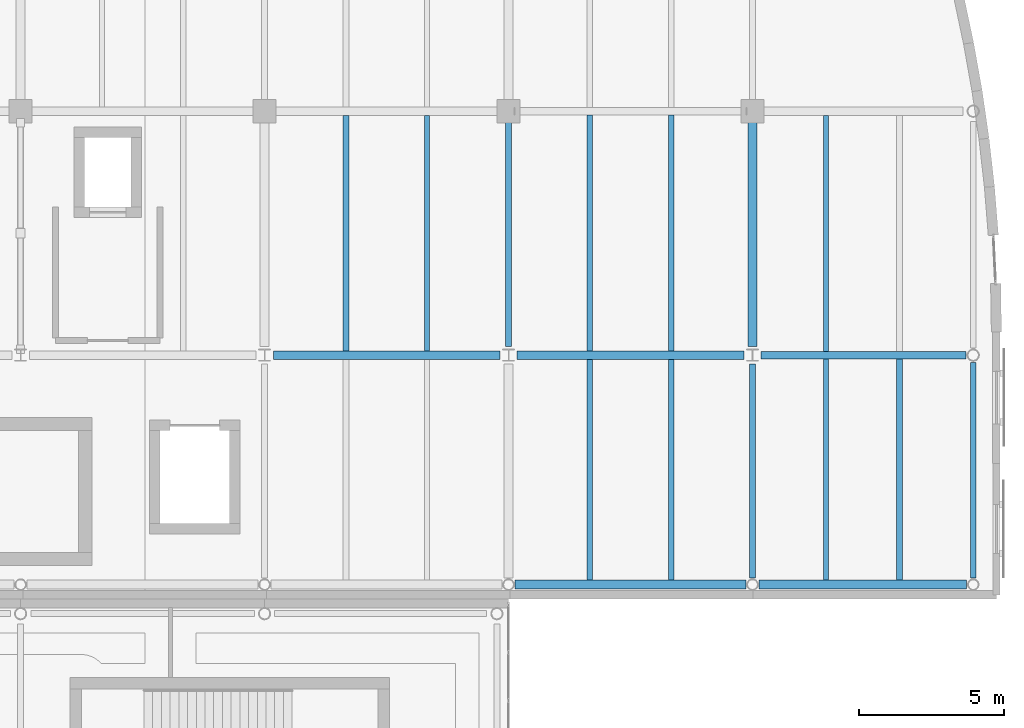
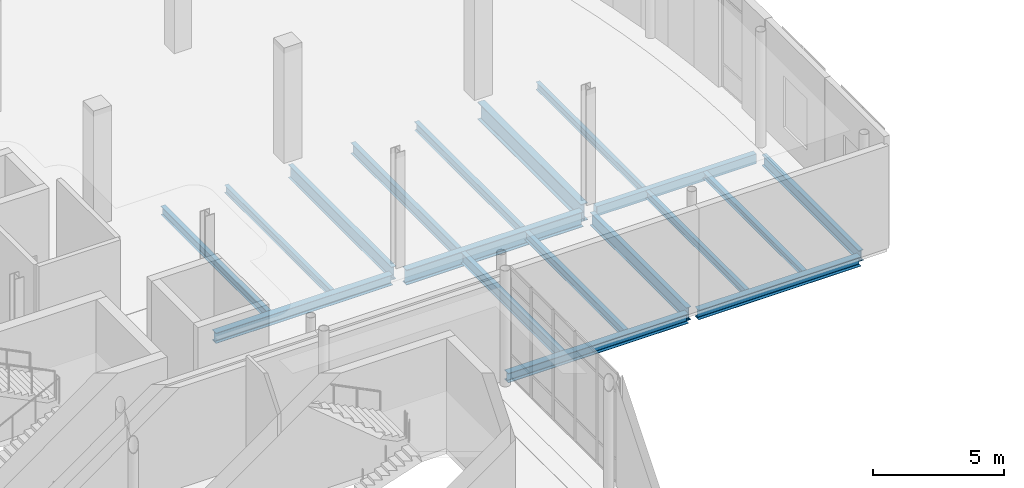
# One storey, part 45 of 110: 18 beams.
"""IFC4 building model written with IfcOpenShell, lengths in metres."""

from ifc_helpers import new_model, si_unit, direction, frame, origin, origin_2d, place, context, subcontext, project, spatial, hollow_rectangle, i_section, extrude, material, material_profile, profile_set, type_object, element, save


model = new_model("IFC4")

# Units and contexts
model_context = context("Model", 3, precision=1e-05, world=origin(), true_north=direction((0.0, 1.0)))
body_context = subcontext(model_context, "Body", "Model", "MODEL_VIEW")
ifc_project = project(units=[si_unit("LENGTHUNIT", "METRE"), si_unit("AREAUNIT", "SQUARE_METRE"), si_unit("VOLUMEUNIT", "CUBIC_METRE"), si_unit("PLANEANGLEUNIT", "RADIAN"), si_unit("MASSUNIT", "GRAM", prefix="KILO"), si_unit("THERMODYNAMICTEMPERATUREUNIT", "KELVIN")], contexts=[model_context])

# Site, building, storey
site_placement = place(None, origin())
site = spatial("IfcSite", under=ifc_project, at=site_placement, CompositionType="ELEMENT")
building_placement = place(site_placement, origin())
building = spatial("IfcBuilding", under=site, at=building_placement, Name="Lustrewick Department Store", CompositionType="ELEMENT")
storey_placement = place(building_placement, frame((0.0, 0.0, 6.0)))
storey = spatial("IfcBuildingStorey", under=building, at=storey_placement, Name="L02", CompositionType="ELEMENT", Elevation=6.0)

# Beams
ifc_material_1 = material(Name="Structural steel Q355B", Category="steel")
ifc_material_profile_1 = material_profile(ifc_material_1, i_section(OverallWidth=0.199951171875, OverallDepth=0.5, WebThickness=0.010009765625, FlangeThickness=0.01611328125, FilletRadius=0.01611328125, at=origin_2d()), Name="HN 500x200x10x16")
ifc_profile_set_1 = profile_set([ifc_material_profile_1], Name="Structural steel Q355B")
beam_type_1 = type_object("IfcBeamType", Name="B01", PredefinedType="JOIST", material=ifc_profile_set_1)
beam_1_placement = place(storey_placement, frame((154.0, 51.050048828125, -0.5048828125), z_axis=(0.0, 1.0, 0.0), x_axis=(-1.0, 0.0, 0.0)))
element("IfcBeam", 1, at=beam_1_placement, inside=storey, type_object=beam_type_1, Name="L02 V4 Secondary Joist B01", PredefinedType="JOIST", context=body_context, shape_type="SweptSolid", body=[
    extrude(i_section(OverallWidth=0.199951171875, OverallDepth=0.5, WebThickness=0.010009765625, FlangeThickness=0.01611328125, FilletRadius=0.01611328125, at=origin_2d()), origin(), (0.0, 0.0, 1.0), 7.599853515625),
])
beam_2_placement = place(storey_placement, frame((154.0, 58.949951171875, -0.5048828125), z_axis=(0.0, 1.0, 0.0), x_axis=(-1.0, 0.0, 0.0)))
element("IfcBeam", 2, at=beam_2_placement, inside=storey, type_object=beam_type_1, Name="L02 V4 Secondary Joist B01", PredefinedType="JOIST", context=body_context, shape_type="SweptSolid", body=[
    extrude(i_section(OverallWidth=0.199951171875, OverallDepth=0.5, WebThickness=0.010009765625, FlangeThickness=0.01611328125, FilletRadius=0.01611328125, at=origin_2d()), origin(), (0.0, 0.0, 1.0), 8.125),
])
ifc_material_profile_2 = material_profile(ifc_material_1, i_section(OverallWidth=0.199951171875, OverallDepth=0.39990234375, WebThickness=0.008056640625, FlangeThickness=0.012939453125, FilletRadius=0.013916015625, at=origin_2d()), Name="HN 400x200x8x13")
ifc_profile_set_2 = profile_set([ifc_material_profile_2], Name="Structural steel Q355B")
beam_type_2 = type_object("IfcBeamType", Name="B05", PredefinedType="JOIST", material=ifc_profile_set_2)
beam_3_placement = place(storey_placement, frame((156.800048828125, 51.050048828125, -0.455078125), z_axis=(0.0, 1.0, 0.0), x_axis=(-1.0, 0.0, 0.0)))
element("IfcBeam", 3, at=beam_3_placement, inside=storey, type_object=beam_type_2, Name="L02 V4 Secondary Joist B05", PredefinedType="JOIST", context=body_context, shape_type="SweptSolid", body=[
    extrude(i_section(OverallWidth=0.199951171875, OverallDepth=0.39990234375, WebThickness=0.008056640625, FlangeThickness=0.012939453125, FilletRadius=0.013916015625, at=origin_2d()), origin(), (0.0, 0.0, 1.0), 7.599853515625),
])
beam_4_placement = place(storey_placement, frame((156.800048828125, 58.949951171875, -0.455078125), z_axis=(0.0, 1.0, 0.0), x_axis=(-1.0, 0.0, 0.0)))
element("IfcBeam", 4, at=beam_4_placement, inside=storey, type_object=beam_type_2, Name="L02 V4 Secondary Joist B05", PredefinedType="JOIST", context=body_context, shape_type="SweptSolid", body=[
    extrude(i_section(OverallWidth=0.199951171875, OverallDepth=0.39990234375, WebThickness=0.008056640625, FlangeThickness=0.012939453125, FilletRadius=0.013916015625, at=origin_2d()), origin(), (0.0, 0.0, 1.0), 8.125),
])
ifc_material_profile_3 = material_profile(ifc_material_1, i_section(OverallWidth=0.198974609375, OverallDepth=0.39599609375, WebThickness=0.007080078125, FlangeThickness=0.010986328125, FilletRadius=0.013916015625, at=origin_2d()), Name="HN 396x199x7x11")
ifc_profile_set_3 = profile_set([ifc_material_profile_3], Name="Structural steel Q355B")
beam_type_3 = type_object("IfcBeamType", Name="B06", PredefinedType="JOIST", material=ifc_profile_set_3)
beam_5_placement = place(storey_placement, frame((145.60009765625, 58.949951171875, -0.452880859375), z_axis=(0.0, 1.0, 0.0), x_axis=(-1.0, 0.0, 0.0)))
element("IfcBeam", 5, at=beam_5_placement, inside=storey, type_object=beam_type_3, Name="L02 V4 Secondary Joist B06", PredefinedType="JOIST", context=body_context, shape_type="SweptSolid", body=[
    extrude(i_section(OverallWidth=0.198974609375, OverallDepth=0.39599609375, WebThickness=0.007080078125, FlangeThickness=0.010986328125, FilletRadius=0.013916015625, at=origin_2d()), origin(), (0.0, 0.0, 1.0), 8.10009765625),
])
ifc_material_profile_4 = material_profile(ifc_material_1, i_section(OverallWidth=0.175048828125, OverallDepth=0.35009765625, WebThickness=0.007080078125, FlangeThickness=0.010986328125, FilletRadius=0.012939453125, at=origin_2d()), Name="HN 350x175x7x11")
ifc_profile_set_4 = profile_set([ifc_material_profile_4], Name="Structural steel Q355B")
beam_type_4 = type_object("IfcBeamType", Name="B09", PredefinedType="JOIST", material=ifc_profile_set_4)
beam_6_placement = place(storey_placement, frame((162.13330078125, 51.050048828125, -0.429931640625), z_axis=(0.0, 1.0, 0.0), x_axis=(-1.0, 0.0, 0.0)))
element("IfcBeam", 6, at=beam_6_placement, inside=storey, type_object=beam_type_4, Name="L02 V4 Secondary Joist B09", PredefinedType="JOIST", context=body_context, shape_type="SweptSolid", body=[
    extrude(i_section(OverallWidth=0.175048828125, OverallDepth=0.35009765625, WebThickness=0.007080078125, FlangeThickness=0.010986328125, FilletRadius=0.012939453125, at=origin_2d()), origin(), (0.0, 0.0, 1.0), 7.625),
])
beam_7_placement = place(storey_placement, frame((148.39990234375, 58.949951171875, -0.429931640625), z_axis=(0.0, 1.0, 0.0), x_axis=(-1.0, 0.0, 0.0)))
element("IfcBeam", 7, at=beam_7_placement, inside=storey, type_object=beam_type_4, Name="L02 V4 Secondary Joist B09", PredefinedType="JOIST", context=body_context, shape_type="SweptSolid", body=[
    extrude(i_section(OverallWidth=0.175048828125, OverallDepth=0.35009765625, WebThickness=0.007080078125, FlangeThickness=0.010986328125, FilletRadius=0.012939453125, at=origin_2d()), origin(), (0.0, 0.0, 1.0), 8.10009765625),
])
beam_8_placement = place(storey_placement, frame((162.13330078125, 58.925048828125, -0.429931640625), z_axis=(0.0, 1.0, 0.0), x_axis=(-1.0, 0.0, 0.0)))
element("IfcBeam", 8, at=beam_8_placement, inside=storey, type_object=beam_type_4, Name="L02 V4 Secondary Joist B09", PredefinedType="JOIST", context=body_context, shape_type="SweptSolid", body=[
    extrude(i_section(OverallWidth=0.175048828125, OverallDepth=0.35009765625, WebThickness=0.007080078125, FlangeThickness=0.010986328125, FilletRadius=0.012939453125, at=origin_2d()), origin(), (0.0, 0.0, 1.0), 8.125),
])
ifc_material_profile_5 = material_profile(ifc_material_1, i_section(OverallWidth=0.199951171875, OverallDepth=0.2939453125, WebThickness=0.008056640625, FlangeThickness=0.011962890625, FilletRadius=0.013916015625, at=origin_2d()), Name="HM 294x200x8x12")
ifc_profile_set_5 = profile_set([ifc_material_profile_5], Name="Structural steel Q355B")
beam_type_5 = type_object("IfcBeamType", Name="B13", PredefinedType="JOIST", material=ifc_profile_set_5)
beam_9_placement = place(storey_placement, frame((164.666748046875, 51.050048828125, -0.402099609375), z_axis=(0.0, 1.0, 0.0), x_axis=(-1.0, 0.0, 0.0)))
element("IfcBeam", 9, at=beam_9_placement, inside=storey, type_object=beam_type_5, Name="L02 V4 Secondary Joist B13", PredefinedType="JOIST", context=body_context, shape_type="SweptSolid", body=[
    extrude(i_section(OverallWidth=0.199951171875, OverallDepth=0.2939453125, WebThickness=0.008056640625, FlangeThickness=0.011962890625, FilletRadius=0.013916015625, at=origin_2d()), origin(), (0.0, 0.0, 1.0), 7.625),
])
ifc_material_2 = material(Name="Structural steel Q355C", Category="steel")
ifc_material_profile_6 = material_profile(ifc_material_2, i_section(OverallWidth=0.302001953125, OverallDepth=0.80810546875, WebThickness=0.01611328125, FlangeThickness=0.030029296875, FilletRadius=0.02197265625, at=origin_2d()), Name="HN 808x302x16x30")
ifc_profile_set_6 = profile_set([ifc_material_profile_6], Name="Structural steel Q355C")
beam_type_6 = type_object("IfcBeamType", Name="G04", PredefinedType="BEAM", material=ifc_profile_set_6)
beam_10_placement = place(storey_placement, frame((159.60009765625, 59.10009765625, -0.658935546875), z_axis=(0.0, 1.0, 0.0), x_axis=(-1.0, 0.0, 0.0)))
element("IfcBeam", 10, at=beam_10_placement, inside=storey, type_object=beam_type_6, Name="L02 V4 Girder G04", PredefinedType="BEAM", context=body_context, shape_type="SweptSolid", body=[
    extrude(i_section(OverallWidth=0.302001953125, OverallDepth=0.80810546875, WebThickness=0.01611328125, FlangeThickness=0.030029296875, FilletRadius=0.02197265625, at=origin_2d()), origin(), (0.0, 0.0, 1.0), 7.89990234375),
])
ifc_material_profile_7 = material_profile(ifc_material_1, i_section(OverallWidth=0.300048828125, OverallDepth=0.699951171875, WebThickness=0.012939453125, FlangeThickness=0.02392578125, FilletRadius=0.02001953125, at=origin_2d()), Name="HN 700x300x13x24")
ifc_profile_set_7 = profile_set([ifc_material_profile_7], Name="Structural steel Q355B")
beam_type_7 = type_object("IfcBeamType", Name="G08", PredefinedType="BEAM", material=ifc_profile_set_7)
beam_11_placement = place(storey_placement, frame((151.5, 58.800048828125, -0.60498046875), z_axis=(1.0, 0.0, 0.0), x_axis=(0.0, 1.0, 0.0)))
element("IfcBeam", 11, at=beam_11_placement, inside=storey, type_object=beam_type_7, Name="L02 V4 Girder G08", PredefinedType="BEAM", context=body_context, shape_type="SweptSolid", body=[
    extrude(i_section(OverallWidth=0.300048828125, OverallDepth=0.699951171875, WebThickness=0.012939453125, FlangeThickness=0.02392578125, FilletRadius=0.02001953125, at=origin_2d()), origin(), (0.0, 0.0, 1.0), 7.800048828125),
])
ifc_material_profile_8 = material_profile(ifc_material_1, i_section(OverallWidth=0.200927734375, OverallDepth=0.60595703125, WebThickness=0.011962890625, FlangeThickness=0.02001953125, FilletRadius=0.01806640625, at=origin_2d()), Name="HN 606x201x12x20")
ifc_profile_set_8 = profile_set([ifc_material_profile_8], Name="Structural steel Q355B")
beam_type_8 = type_object("IfcBeamType", Name="G13", PredefinedType="BEAM", material=ifc_profile_set_8)
beam_12_placement = place(storey_placement, frame((151.199951171875, 59.10009765625, -0.55810546875), z_axis=(0.0, 1.0, 0.0), x_axis=(-1.0, 0.0, 0.0)))
element("IfcBeam", 12, at=beam_12_placement, inside=storey, type_object=beam_type_8, Name="L02 V4 Girder G13", PredefinedType="BEAM", context=body_context, shape_type="SweptSolid", body=[
    extrude(i_section(OverallWidth=0.200927734375, OverallDepth=0.60595703125, WebThickness=0.011962890625, FlangeThickness=0.02001953125, FilletRadius=0.01806640625, at=origin_2d()), origin(), (0.0, 0.0, 1.0), 7.89990234375),
])
beam_13_placement = place(storey_placement, frame((159.60009765625, 51.12841796875, -0.55810546875), z_axis=(0.0, 1.0, 0.0), x_axis=(-1.0, 0.0, 0.0)))
element("IfcBeam", 13, at=beam_13_placement, inside=storey, type_object=beam_type_8, Name="L02 V4 Girder G13", PredefinedType="BEAM", context=body_context, shape_type="SweptSolid", body=[
    extrude(i_section(OverallWidth=0.200927734375, OverallDepth=0.60595703125, WebThickness=0.011962890625, FlangeThickness=0.02001953125, FilletRadius=0.01806640625, at=origin_2d()), origin(), (0.0, 0.0, 1.0), 7.37158203125),
])
ifc_material_profile_9 = material_profile(ifc_material_2, hollow_rectangle(XDim=0.25, YDim=0.449951171875, WallThickness=0.013916015625, at=origin_2d()), Name="RHS 450x250x14")
ifc_profile_set_9 = profile_set([ifc_material_profile_9], Name="Structural steel Q355C")
beam_type_9 = type_object("IfcBeamType", Name="G18", PredefinedType="BEAM", material=ifc_profile_set_9)
beam_14_placement = place(storey_placement, frame((159.89990234375, 58.800048828125, -0.47998046875), z_axis=(1.0, 0.0, 0.0), x_axis=(0.0, 1.0, 0.0)))
element("IfcBeam", 14, at=beam_14_placement, inside=storey, type_object=beam_type_9, Name="L02 V4 Girder G18", PredefinedType="BEAM", context=body_context, shape_type="SweptSolid", body=[
    extrude(hollow_rectangle(XDim=0.25, YDim=0.449951171875, WallThickness=0.013916015625, at=origin_2d()), origin(), (0.0, 0.0, 1.0), 7.046142578125),
])
ifc_material_profile_10 = material_profile(ifc_material_1, i_section(OverallWidth=0.300048828125, OverallDepth=0.48193359375, WebThickness=0.010986328125, FlangeThickness=0.014892578125, FilletRadius=0.02197265625, at=origin_2d()), Name="HM 482x300x11x15")
ifc_profile_set_10 = profile_set([ifc_material_profile_10], Name="Structural steel Q355B")
beam_type_10 = type_object("IfcBeamType", Name="G20", PredefinedType="BEAM", material=ifc_profile_set_10)
beam_15_placement = place(storey_placement, frame((143.10009765625, 58.800048828125, -0.49609375), z_axis=(1.0, 0.0, 0.0), x_axis=(0.0, 1.0, 0.0)))
element("IfcBeam", 15, at=beam_15_placement, inside=storey, type_object=beam_type_10, Name="L02 V4 Girder G20", PredefinedType="BEAM", context=body_context, shape_type="SweptSolid", body=[
    extrude(i_section(OverallWidth=0.300048828125, OverallDepth=0.48193359375, WebThickness=0.010986328125, FlangeThickness=0.014892578125, FilletRadius=0.02197265625, at=origin_2d()), origin(), (0.0, 0.0, 1.0), 7.7998046875),
])
ifc_material_profile_11 = material_profile(ifc_material_1, i_section(OverallWidth=0.200927734375, OverallDepth=0.506103515625, WebThickness=0.010986328125, FlangeThickness=0.01904296875, FilletRadius=0.01611328125, at=origin_2d()), Name="HN 506x201x11x19")
ifc_profile_set_11 = profile_set([ifc_material_profile_11], Name="Structural steel Q355B")
beam_type_11 = type_object("IfcBeamType", Name="SP01", PredefinedType="SPANDREL", material=ifc_profile_set_11)
beam_16_placement = place(storey_placement, frame((167.199951171875, 51.12841796875, -0.508056640625), z_axis=(0.0, 1.0, 0.0), x_axis=(-1.0, 0.0, 0.0)))
element("IfcBeam", 16, at=beam_16_placement, inside=storey, type_object=beam_type_11, Name="L02 V4 Girder SP01", PredefinedType="SPANDREL", context=body_context, shape_type="SweptSolid", body=[
    extrude(i_section(OverallWidth=0.200927734375, OverallDepth=0.506103515625, WebThickness=0.010986328125, FlangeThickness=0.01904296875, FilletRadius=0.01611328125, at=origin_2d()), origin(), (0.0, 0.0, 1.0), 7.41748046875),
])
ifc_material_profile_12 = material_profile(ifc_material_1, i_section(OverallWidth=0.300048828125, OverallDepth=0.43994140625, WebThickness=0.010986328125, FlangeThickness=0.01806640625, FilletRadius=0.02001953125, at=origin_2d()), Name="HM 440x300x11x18")
ifc_profile_set_12 = profile_set([ifc_material_profile_12], Name="Structural steel Q355B")
beam_type_12 = type_object("IfcBeamType", Name="SP02", PredefinedType="SPANDREL", material=ifc_profile_set_12)
beam_17_placement = place(storey_placement, frame((151.428466796875, 50.89990234375, -0.47509765625), z_axis=(1.0, 0.0, 0.0), x_axis=(0.0, 1.0, 0.0)))
element("IfcBeam", 17, at=beam_17_placement, inside=storey, type_object=beam_type_12, Name="L02 V4 Girder SP02", PredefinedType="SPANDREL", context=body_context, shape_type="SweptSolid", body=[
    extrude(i_section(OverallWidth=0.300048828125, OverallDepth=0.43994140625, WebThickness=0.010986328125, FlangeThickness=0.01806640625, FilletRadius=0.02001953125, at=origin_2d()), origin(), (0.0, 0.0, 1.0), 7.943115234375),
])
beam_18_placement = place(storey_placement, frame((159.82861328125, 50.89990234375, -0.47509765625), z_axis=(1.0, 0.0, 0.0), x_axis=(0.0, 1.0, 0.0)))
element("IfcBeam", 18, at=beam_18_placement, inside=storey, type_object=beam_type_12, Name="L02 V4 Girder SP02", PredefinedType="SPANDREL", context=body_context, shape_type="SweptSolid", body=[
    extrude(i_section(OverallWidth=0.300048828125, OverallDepth=0.43994140625, WebThickness=0.010986328125, FlangeThickness=0.01806640625, FilletRadius=0.02001953125, at=origin_2d()), origin(), (0.0, 0.0, 1.0), 7.142822265625),
])

save(model, "model.ifc")
